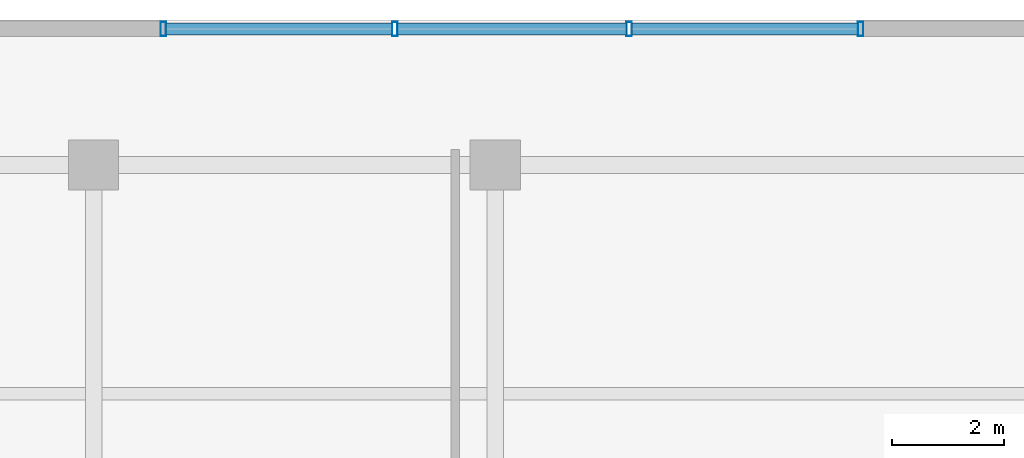
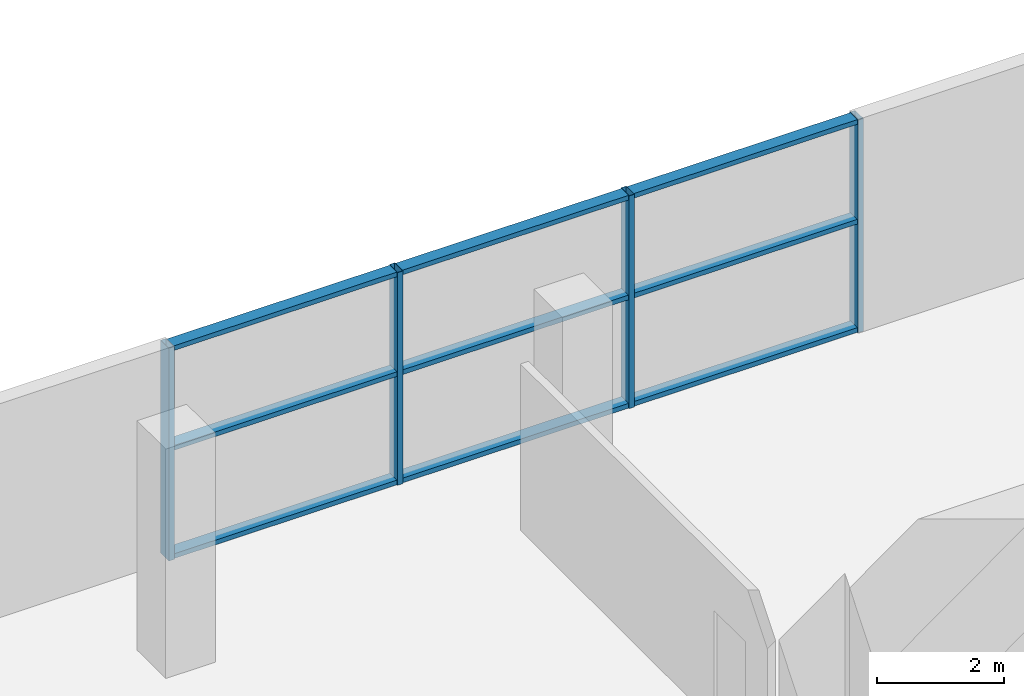
# One storey, part 8 of 22: 13 members, 1 element without a shape of its own.
"""IFC4 building model written with IfcOpenShell, lengths in metres."""

from ifc_helpers import new_model, si_unit, direction, frame, origin, origin_2d, place, context, subcontext, project, spatial, hollow_rectangle, extrude, source, transform, mapped, material, layer, layer_set, material_profile, profile_set, type_object, element, aggregate, save


model = new_model("IFC4")

# Units and contexts
model_context = context("Model", 3, precision=1e-05, world=origin(), true_north=direction((0.0, 1.0)))
body_context = subcontext(model_context, "Body", "Model", "MODEL_VIEW")
ifc_project = project(units=[si_unit("LENGTHUNIT", "METRE"), si_unit("AREAUNIT", "SQUARE_METRE"), si_unit("VOLUMEUNIT", "CUBIC_METRE"), si_unit("PLANEANGLEUNIT", "RADIAN"), si_unit("MASSUNIT", "GRAM", prefix="KILO")], contexts=[model_context])

# Site, building, storey
site_placement = place(None, origin())
site = spatial("IfcSite", under=ifc_project, at=site_placement, CompositionType="ELEMENT")
building_placement = place(site_placement, origin())
building = spatial("IfcBuilding", under=site, at=building_placement, Name="Zarnakvel Exchange Tower", CompositionType="ELEMENT")
storey_placement = place(building_placement, frame((0.0, 0.0, 9.39990234375)))
storey = spatial("IfcBuildingStorey", under=building, at=storey_placement, Name="L02", CompositionType="ELEMENT", Elevation=9.39990234375)

# Curtain wall, members
ifc_material = material(Name="Architectural Bronze Anodised Aluminium", Category="aluminium")
ifc_layer = layer(ifc_material, 0.260009765625)
ifc_layer_set = layer_set([ifc_layer], Name="Architectural Bronze Anodised Aluminium")
curtain_wall_type = type_object("IfcCurtainWallType", Name="CW-01", PredefinedType="NOTDEFINED", material=ifc_layer_set)
curtain_wall_placement = place(storey_placement, origin())
curtain_wall = element("IfcCurtainWall", 1, at=curtain_wall_placement, inside=storey, type_object=curtain_wall_type, Name="L02 Curtain Wall CW-L02-N1 (CW-01)", PredefinedType="NOTDEFINED")
ifc_material_profile_1 = material_profile(ifc_material, hollow_rectangle(XDim=0.219970703125, YDim=0.090087890625, WallThickness=0.0048828125, at=origin_2d()))
ifc_profile_set_1 = profile_set([ifc_material_profile_1], Name="Architectural Bronze Anodised Aluminium")
member_type_1 = type_object("IfcMemberType", Name="CWT-01", PredefinedType="USERDEFINED", material=ifc_profile_set_1)
shared_shape_1 = source(origin(), body_context, "Body", "SweptSolid", [
    extrude(hollow_rectangle(XDim=0.219970703125, YDim=0.090087890625, WallThickness=0.0048828125, at=origin_2d()), origin(), (0.0, 0.0, 1.0), 4.050048828125),
])
member_1_placement = place(storey_placement, frame((-20.300048828125, 24.0400390625, 0.045166015625), z_axis=(1.0, 0.0, 0.0), x_axis=(0.0, 1.0, 0.0)))
member_1 = element("IfcMember", 2, at=member_1_placement, type_object=member_type_1, Name="CW-01 transom 1.1", ObjectType="TRANSOM", PredefinedType="USERDEFINED", context=body_context, shape_type="MappedRepresentation", body=[
    mapped(shared_shape_1, transform((0.0, 0.0, 0.0), x_axis=(1.0, 0.0, 0.0), y_axis=(0.0, 1.0, 0.0), z_axis=(0.0, 0.0, 1.0), scale=1.0)),
])
member_2_placement = place(storey_placement, frame((-20.300048828125, 24.0400390625, 2.12158203125), z_axis=(1.0, 0.0, 0.0), x_axis=(0.0, 1.0, 0.0)))
member_2 = element("IfcMember", 3, at=member_2_placement, type_object=member_type_1, Name="CW-01 transom 1.2", ObjectType="TRANSOM", PredefinedType="USERDEFINED", context=body_context, shape_type="MappedRepresentation", body=[
    mapped(shared_shape_1, transform((0.0, 0.0, 0.0), x_axis=(1.0, 0.0, 0.0), y_axis=(0.0, 1.0, 0.0), z_axis=(0.0, 0.0, 1.0), scale=1.0)),
])
member_3_placement = place(storey_placement, frame((-20.300048828125, 24.0400390625, 4.03515625), z_axis=(1.0, 0.0, 0.0), x_axis=(0.0, 1.0, 0.0)))
member_3 = element("IfcMember", 4, at=member_3_placement, type_object=member_type_1, Name="CW-01 transom 1.3", ObjectType="TRANSOM", PredefinedType="USERDEFINED", context=body_context, shape_type="MappedRepresentation", body=[
    mapped(shared_shape_1, transform((0.0, 0.0, 0.0), x_axis=(1.0, 0.0, 0.0), y_axis=(0.0, 1.0, 0.0), z_axis=(0.0, 0.0, 1.0), scale=1.0)),
])
member_4_placement = place(storey_placement, frame((-11.949951171875, 24.0400390625, 0.045166015625), z_axis=(1.0, 0.0, 0.0), x_axis=(0.0, 1.0, 0.0)))
member_4 = element("IfcMember", 5, at=member_4_placement, type_object=member_type_1, Name="CW-01 transom 3.1", ObjectType="TRANSOM", PredefinedType="USERDEFINED", context=body_context, shape_type="MappedRepresentation", body=[
    mapped(shared_shape_1, transform((0.0, 0.0, 0.0), x_axis=(1.0, 0.0, 0.0), y_axis=(0.0, 1.0, 0.0), z_axis=(0.0, 0.0, 1.0), scale=1.0)),
])
member_5_placement = place(storey_placement, frame((-11.949951171875, 24.0400390625, 2.12158203125), z_axis=(1.0, 0.0, 0.0), x_axis=(0.0, 1.0, 0.0)))
member_5 = element("IfcMember", 6, at=member_5_placement, type_object=member_type_1, Name="CW-01 transom 3.2", ObjectType="TRANSOM", PredefinedType="USERDEFINED", context=body_context, shape_type="MappedRepresentation", body=[
    mapped(shared_shape_1, transform((0.0, 0.0, 0.0), x_axis=(1.0, 0.0, 0.0), y_axis=(0.0, 1.0, 0.0), z_axis=(0.0, 0.0, 1.0), scale=1.0)),
])
member_6_placement = place(storey_placement, frame((-11.949951171875, 24.0400390625, 4.03515625), z_axis=(1.0, 0.0, 0.0), x_axis=(0.0, 1.0, 0.0)))
member_6 = element("IfcMember", 7, at=member_6_placement, type_object=member_type_1, Name="CW-01 transom 3.3", ObjectType="TRANSOM", PredefinedType="USERDEFINED", context=body_context, shape_type="MappedRepresentation", body=[
    mapped(shared_shape_1, transform((0.0, 0.0, 0.0), x_axis=(1.0, 0.0, 0.0), y_axis=(0.0, 1.0, 0.0), z_axis=(0.0, 0.0, 1.0), scale=1.0)),
])
shared_shape_2 = source(origin(), body_context, "Body", "SweptSolid", [
    extrude(hollow_rectangle(XDim=0.219970703125, YDim=0.090087890625, WallThickness=0.0048828125, at=origin_2d()), origin(), (0.0, 0.0, 1.0), 4.099853515625),
])
member_7_placement = place(storey_placement, frame((-16.14990234375, 24.0400390625, 0.045166015625), z_axis=(1.0, 0.0, 0.0), x_axis=(0.0, 1.0, 0.0)))
member_7 = element("IfcMember", 8, at=member_7_placement, type_object=member_type_1, Name="CW-01 transom 2.1", ObjectType="TRANSOM", PredefinedType="USERDEFINED", context=body_context, shape_type="MappedRepresentation", body=[
    mapped(shared_shape_2, transform((0.0, 0.0, 0.0), x_axis=(1.0, 0.0, 0.0), y_axis=(0.0, 1.0, 0.0), z_axis=(0.0, 0.0, 1.0), scale=1.0)),
])
member_8_placement = place(storey_placement, frame((-16.14990234375, 24.0400390625, 2.12158203125), z_axis=(1.0, 0.0, 0.0), x_axis=(0.0, 1.0, 0.0)))
member_8 = element("IfcMember", 9, at=member_8_placement, type_object=member_type_1, Name="CW-01 transom 2.2", ObjectType="TRANSOM", PredefinedType="USERDEFINED", context=body_context, shape_type="MappedRepresentation", body=[
    mapped(shared_shape_2, transform((0.0, 0.0, 0.0), x_axis=(1.0, 0.0, 0.0), y_axis=(0.0, 1.0, 0.0), z_axis=(0.0, 0.0, 1.0), scale=1.0)),
])
member_9_placement = place(storey_placement, frame((-16.14990234375, 24.0400390625, 4.03515625), z_axis=(1.0, 0.0, 0.0), x_axis=(0.0, 1.0, 0.0)))
member_9 = element("IfcMember", 10, at=member_9_placement, type_object=member_type_1, Name="CW-01 transom 2.3", ObjectType="TRANSOM", PredefinedType="USERDEFINED", context=body_context, shape_type="MappedRepresentation", body=[
    mapped(shared_shape_2, transform((0.0, 0.0, 0.0), x_axis=(1.0, 0.0, 0.0), y_axis=(0.0, 1.0, 0.0), z_axis=(0.0, 0.0, 1.0), scale=1.0)),
])
ifc_material_profile_2 = material_profile(ifc_material, hollow_rectangle(XDim=0.260009765625, YDim=0.10009765625, WallThickness=0.006103515625, at=origin_2d()))
ifc_profile_set_2 = profile_set([ifc_material_profile_2], Name="Architectural Bronze Anodised Aluminium")
member_type_2 = type_object("IfcMemberType", Name="CWM-01", PredefinedType="MULLION", material=ifc_profile_set_2)
shared_shape_3 = source(origin(), body_context, "Body", "SweptSolid", [
    extrude(hollow_rectangle(XDim=0.260009765625, YDim=0.10009765625, WallThickness=0.006103515625, at=origin_2d()), origin(), (0.0, 0.0, 1.0), 4.080078125),
])
member_10_placement = place(storey_placement, frame((-20.35009765625, 24.0400390625, 0.0), z_axis=(0.0, 0.0, 1.0), x_axis=(0.0, 1.0, 0.0)))
member_10 = element("IfcMember", 11, at=member_10_placement, type_object=member_type_2, Name="CW-01 mullion 1", PredefinedType="MULLION", context=body_context, shape_type="MappedRepresentation", body=[
    mapped(shared_shape_3, transform((0.0, 0.0, 0.0), x_axis=(1.0, 0.0, 0.0), y_axis=(0.0, 1.0, 0.0), z_axis=(0.0, 0.0, 1.0), scale=1.0)),
])
member_11_placement = place(storey_placement, frame((-16.199951171875, 24.0400390625, 0.0), z_axis=(0.0, 0.0, 1.0), x_axis=(0.0, 1.0, 0.0)))
member_11 = element("IfcMember", 12, at=member_11_placement, type_object=member_type_2, Name="CW-01 mullion 2", PredefinedType="MULLION", context=body_context, shape_type="MappedRepresentation", body=[
    mapped(shared_shape_3, transform((0.0, 0.0, 0.0), x_axis=(1.0, 0.0, 0.0), y_axis=(0.0, 1.0, 0.0), z_axis=(0.0, 0.0, 1.0), scale=1.0)),
])
member_12_placement = place(storey_placement, frame((-12.0, 24.0400390625, 0.0), z_axis=(0.0, 0.0, 1.0), x_axis=(0.0, 1.0, 0.0)))
member_12 = element("IfcMember", 13, at=member_12_placement, type_object=member_type_2, Name="CW-01 mullion 3", PredefinedType="MULLION", context=body_context, shape_type="MappedRepresentation", body=[
    mapped(shared_shape_3, transform((0.0, 0.0, 0.0), x_axis=(1.0, 0.0, 0.0), y_axis=(0.0, 1.0, 0.0), z_axis=(0.0, 0.0, 1.0), scale=1.0)),
])
member_13_placement = place(storey_placement, frame((-7.85009765625, 24.0400390625, 0.0), z_axis=(0.0, 0.0, 1.0), x_axis=(0.0, 1.0, 0.0)))
member_13 = element("IfcMember", 14, at=member_13_placement, type_object=member_type_2, Name="CW-01 mullion 4", PredefinedType="MULLION", context=body_context, shape_type="MappedRepresentation", body=[
    mapped(shared_shape_3, transform((0.0, 0.0, 0.0), x_axis=(1.0, 0.0, 0.0), y_axis=(0.0, 1.0, 0.0), z_axis=(0.0, 0.0, 1.0), scale=1.0)),
])
aggregate(curtain_wall, [member_10, member_11, member_12, member_13, member_1, member_2, member_3, member_7, member_8, member_9, member_4, member_5, member_6])

save(model, "model.ifc")
